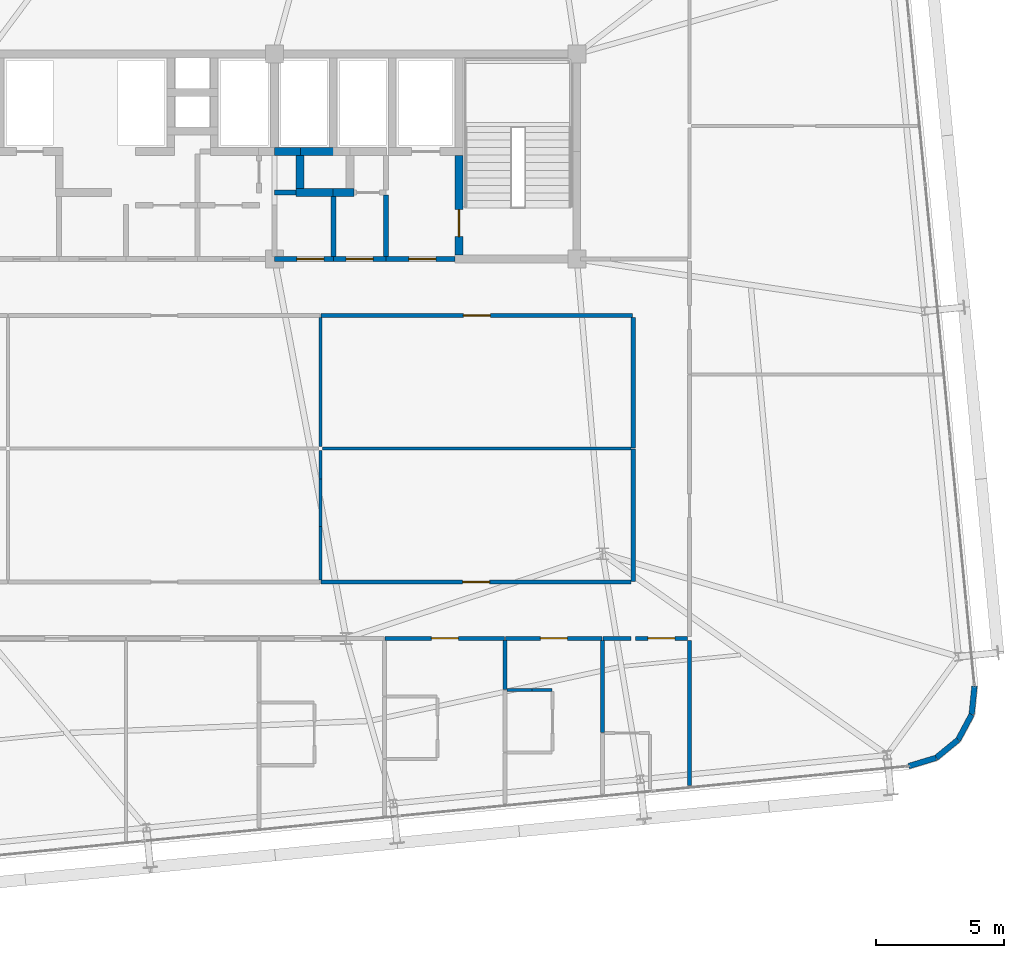
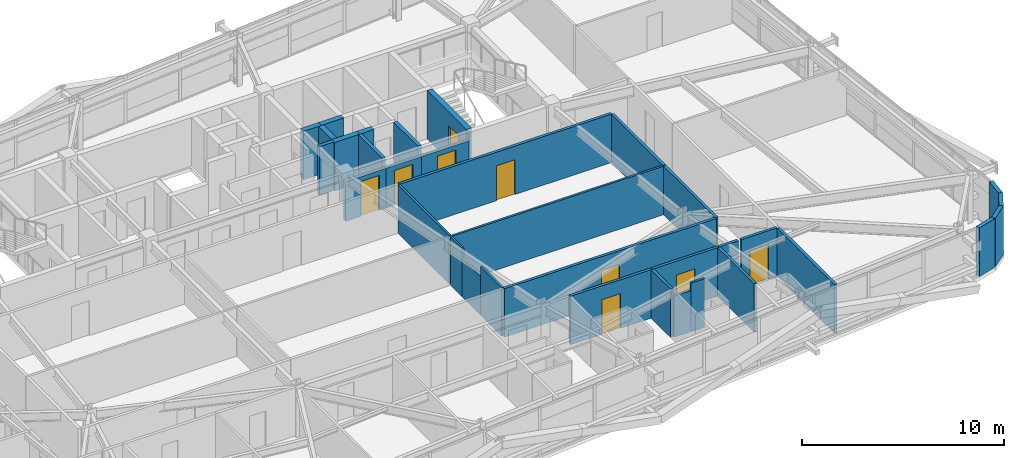
# One storey, part 49 of 54: 34 walls, 9 doors, 9 openings.
"""IFC4 building model written with IfcOpenShell, lengths in metres."""

from ifc_helpers import new_model, si_unit, direction, frame, frame_2d, origin, place, context, subcontext, project, spatial, rectangle, extrude, source, transform, mapped, material, layer, layer_set, type_object, element, fill, save


model = new_model("IFC4")

# Units and contexts
model_context = context("Model", 3, precision=1e-05, world=origin(), true_north=direction((0.0, 1.0)))
body_context = subcontext(model_context, "Body", "Model", "MODEL_VIEW")
ifc_project = project(units=[si_unit("LENGTHUNIT", "METRE"), si_unit("AREAUNIT", "SQUARE_METRE"), si_unit("VOLUMEUNIT", "CUBIC_METRE"), si_unit("PLANEANGLEUNIT", "RADIAN"), si_unit("MASSUNIT", "GRAM", prefix="KILO")], contexts=[model_context])

# Site, building, storey
site_placement = place(None, origin())
site = spatial("IfcSite", under=ifc_project, at=site_placement, CompositionType="ELEMENT")
building_placement = place(site_placement, origin())
building = spatial("IfcBuilding", under=site, at=building_placement, Name="Taldren Reach Tower", CompositionType="ELEMENT")
storey_placement = place(building_placement, frame((0.0, 0.0, 102.89990234375)))
storey = spatial("IfcBuildingStorey", under=building, at=storey_placement, Name="L31", CompositionType="ELEMENT", Elevation=102.89990234375)

# Walls
ifc_material_1 = material(Name="Pale Champagne Anodised Aluminium Cladding", Category="aluminium")
ifc_layer_1 = layer(ifc_material_1, 0.04, Name="Pale Champagne Anodised Aluminium Cladding", Category="aluminium")
ifc_material_2 = material(Name="Mineral Wool Acoustic Insulation", Category="insulation")
ifc_layer_2 = layer(ifc_material_2, 0.06, Name="Mineral Wool Acoustic Insulation", Category="insulation")
ifc_material_3 = material(Name="Steel Gr 350 (C350L0)", Category="steel")
ifc_layer_3 = layer(ifc_material_3, 0.12, Name="Steel Gr 350 (C350L0)", Category="steel")
ifc_layer_set_1 = layer_set([ifc_layer_1, ifc_layer_2, ifc_layer_3], Name="Pale Champagne Aluminium Cladding and Steel Gr 350 Stud Framing")
wall_type_1 = type_object("IfcWallType", Name="EW-CRN-220", PredefinedType="SOLIDWALL", material=ifc_layer_set_1)
shared_shape_1 = source(origin(), body_context, "Body", "SweptSolid", [
    extrude(rectangle(XDim=1.115966796875, YDim=0.219970703125, at=frame_2d((0.55810546875, 0.0))), origin(), (0.0, 0.0, 1.0), 2.93017578125),
])
for number, where, z_axis, x_axis, name in (
    (1, (65.01708984375, 4.537109375, 0.0), (0.0, 0.0, 1.0), (0.773342870285, 0.633988016432, 0.0), "Rounded-corner pale-metal facade wall L31-SE2"),
    (2, (66.406494140625, 6.228515625, 0.0), (0.0, 0.0, 1.0), (0.09844234778, 0.995142755671, 0.0), "Rounded-corner pale-metal facade wall L31-SE4"),
):
    element("IfcWall", number, at=place(storey_placement, frame(where, z_axis=z_axis, x_axis=x_axis)), inside=storey, type_object=wall_type_1, Name=name, PredefinedType="SOLIDWALL", context=body_context, shape_type="MappedRepresentation", body=[
        mapped(shared_shape_1, transform((0.0, 0.0, 0.0), scale=1.0)),
    ])
shared_shape_2 = source(origin(), body_context, "Body", "SweptSolid", [
    extrude(rectangle(XDim=1.11572265625, YDim=0.219970703125, at=frame_2d((0.557861328125, 0.0))), origin(), (0.0, 0.0, 1.0), 2.93017578125),
])
for number, where, z_axis, x_axis, name in (
    (3, (63.94921875, 4.213623046875, 0.0), (0.0, 0.0, 1.0), (0.957052003726, 0.289916301997, 0.0), "Rounded-corner pale-metal facade wall L31-SE1"),
    (4, (65.880126953125, 5.24462890625, 0.0), (0.0, 0.0, 1.0), (0.471723463201, 0.881746547635, 0.0), "Rounded-corner pale-metal facade wall L31-SE3"),
):
    element("IfcWall", number, at=place(storey_placement, frame(where, z_axis=z_axis, x_axis=x_axis)), inside=storey, type_object=wall_type_1, Name=name, PredefinedType="SOLIDWALL", context=body_context, shape_type="MappedRepresentation", body=[
        mapped(shared_shape_2, transform((0.0, 0.0, 0.0), scale=1.0)),
    ])
ifc_material_4 = material(Name="Concrete S50 (50 MPa)", Category="concrete")
ifc_layer_4 = layer(ifc_material_4, 0.199951171875)
ifc_layer_set_2 = layer_set([ifc_layer_4], Name="Concrete S50 (50 MPa)")
wall_type_2 = type_object("IfcWallType", Name="IW-CORE-200", PredefinedType="SOLIDWALL", material=ifc_layer_set_2)
shared_shape_3 = source(origin(), body_context, "Body", "SweptSolid", [
    extrude(rectangle(XDim=2.39990234375, YDim=0.199951171875, at=frame_2d((1.199951171875, 0.0))), origin(), (0.0, 0.0, 1.0), 2.93017578125),
])
wall_1_placement = place(storey_placement, frame((43.550048828125, 26.5, 0.0), z_axis=(0.0, 0.0, 1.0), x_axis=(0.0, -1.0, 0.0)))
element("IfcWall", 5, at=wall_1_placement, inside=storey, type_object=wall_type_2, Name="Rear Core Shear Wall W-INT-L31-013", PredefinedType="SOLIDWALL", context=body_context, shape_type="MappedRepresentation", body=[
    mapped(shared_shape_3, transform((0.0, 0.0, 0.0), scale=1.0)),
])

# Wall, opening, door
shared_shape_4 = source(origin(), body_context, "Body", "SweptSolid", [
    extrude(rectangle(XDim=2.300048828125, YDim=0.199951171875, at=frame_2d((1.14990234375, 0.0))), origin(), (0.0, 0.0, 1.0), 2.397216796875),
])
wall_2_placement = place(storey_placement, frame((41.5, 24.0, 0.0), z_axis=(0.0, 0.0, 1.0), x_axis=(-1.0, 0.0, 0.0)))
wall_2 = element("IfcWall", 6, at=wall_2_placement, inside=storey, type_object=wall_type_2, Name="Rear Core Shear Wall W-INT-L31-057", PredefinedType="SOLIDWALL", context=body_context, shape_type="MappedRepresentation", body=[
    mapped(shared_shape_4, transform((0.0, 0.0, 0.0), scale=1.0)),
])
shared_shape_5 = source(origin(), body_context, "Body", "SweptSolid", [
    extrude(rectangle(XDim=1.050048828125, YDim=2.10009765625, at=frame_2d((0.52490234375, 1.050048828125))), frame((0.0, 0.10986328125, 0.0), z_axis=(0.0, -1.0, 0.0), x_axis=(1.0, 0.0, 0.0)), (0.0, 0.0, 1.0), 0.219970703125),
])
opening_1_placement = place(wall_2_placement, frame((0.375, 0.0, 0.0)))
opening_1 = element("IfcOpeningElement", 7, at=opening_1_placement, cuts=wall_2, Name="Opening DF-105", PredefinedType="OPENING", context=body_context, shape_type="MappedRepresentation", body=[
    mapped(shared_shape_5, transform((0.0, 0.0, 0.0), scale=1.0)),
])
ifc_material_5 = material(Name="Fire-Rated Care and Stair Exit Door")
door_type = type_object("IfcDoorType", Name="ID-FIRE-105", OperationType="NOTDEFINED", PredefinedType="DOOR", material=ifc_material_5)
shared_shape_6 = source(origin(), body_context, "Body", "SweptSolid", [
    extrude(rectangle(XDim=1.050048828125, YDim=2.10009765625, at=frame_2d((0.52490234375, 1.050048828125))), frame((0.0, 0.02490234375, 0.0), z_axis=(0.0, -1.0, 0.0), x_axis=(1.0, 0.0, 0.0)), (0.0, 0.0, 1.0), 0.050048828125),
])
door_1_placement = place(opening_1_placement, frame((1.050048828125, 0.0, 0.0), z_axis=(0.0, 0.0, 1.0), x_axis=(-1.0, 0.0, 0.0)))
door_1 = element("IfcDoor", 8, at=door_1_placement, inside=storey, type_object=door_type, Name="Interior Door DR-L31-011", OperationType="SINGLE_SWING_RIGHT", OverallHeight=2.10009765625, OverallWidth=1.050048828125, PredefinedType="DOOR", context=body_context, shape_type="MappedRepresentation", body=[
    mapped(shared_shape_6, transform((0.0, 0.0, 0.0), scale=1.0)),
])
fill(opening_1, door_1)

shared_shape_7 = source(origin(), body_context, "Body", "SweptSolid", [
    extrude(rectangle(XDim=2.050048828125, YDim=0.199951171875, at=frame_2d((1.02490234375, 0.0))), origin(), (0.0, 0.0, 1.0), 2.397216796875),
])
wall_3_placement = place(storey_placement, frame((43.550048828125, 24.0, 0.0), z_axis=(0.0, 0.0, 1.0), x_axis=(-1.0, 0.0, 0.0)))
wall_3 = element("IfcWall", 9, at=wall_3_placement, inside=storey, type_object=wall_type_2, Name="Rear Core Shear Wall W-INT-L31-059", PredefinedType="SOLIDWALL", context=body_context, shape_type="MappedRepresentation", body=[
    mapped(shared_shape_7, transform((0.0, 0.0, 0.0), scale=1.0)),
])
opening_2_placement = place(wall_3_placement, frame((0.5, 0.0, 0.0)))
opening_2 = element("IfcOpeningElement", 10, at=opening_2_placement, cuts=wall_3, Name="Opening DF-105", PredefinedType="OPENING", context=body_context, shape_type="MappedRepresentation", body=[
    mapped(shared_shape_5, transform((0.0, 0.0, 0.0), scale=1.0)),
])
door_2_placement = place(opening_2_placement, frame((1.050048828125, 0.0, 0.0), z_axis=(0.0, 0.0, 1.0), x_axis=(-1.0, 0.0, 0.0)))
door_2 = element("IfcDoor", 11, at=door_2_placement, inside=storey, type_object=door_type, Name="Interior Door DR-L31-013", OperationType="SINGLE_SWING_LEFT", OverallHeight=2.10009765625, OverallWidth=1.050048828125, PredefinedType="DOOR", context=body_context, shape_type="MappedRepresentation", body=[
    mapped(shared_shape_6, transform((0.0, 0.0, 0.0), scale=1.0)),
])
fill(opening_2, door_2)

# Wall
ifc_material_6 = material(Name="Fire-Rated Acoustic Plasterboard Stud Wall", Category="gypsum")
ifc_layer_5 = layer(ifc_material_6, 0.159912109375)
ifc_layer_set_3 = layer_set([ifc_layer_5], Name="Fire-Rated Acoustic Plasterboard Stud Wall")
wall_type_3 = type_object("IfcWallType", Name="IW-FIRE-160", PredefinedType="PARTITIONING", material=ifc_layer_set_3)
shared_shape_8 = source(origin(), body_context, "Body", "SweptSolid", [
    extrude(rectangle(XDim=5.15966796875, YDim=0.159912109375, at=frame_2d((2.579833984375, 0.0))), origin(), (0.0, 0.0, 1.0), 2.93017578125),
])
wall_4_placement = place(storey_placement, frame((53.199951171875, 11.420166015625, 0.0), z_axis=(0.0, 0.0, 1.0), x_axis=(0.0, 1.0, 0.0)))
element("IfcWall", 12, at=wall_4_placement, inside=storey, type_object=wall_type_3, Name="Interior Partition Wall W-INT-L31-064", PredefinedType="PARTITIONING", context=body_context, shape_type="MappedRepresentation", body=[
    mapped(shared_shape_8, transform((0.0, 0.0, 0.0), scale=1.0)),
])

# Wall, opening, door
shared_shape_9 = source(origin(), body_context, "Body", "SweptSolid", [
    extrude(rectangle(XDim=12.159423828125, YDim=0.159912109375, at=frame_2d((6.07958984375, 0.0))), origin(), (0.0, 0.0, 1.0), 2.93017578125),
])
wall_5_placement = place(storey_placement, frame((53.1796875, 21.800048828125, 0.0), z_axis=(0.0, 0.0, 1.0), x_axis=(-1.0, 0.0, 0.0)))
wall_5 = element("IfcWall", 13, at=wall_5_placement, inside=storey, type_object=wall_type_3, Name="Interior Partition Wall W-INT-L31-065", PredefinedType="PARTITIONING", context=body_context, shape_type="MappedRepresentation", body=[
    mapped(shared_shape_9, transform((0.0, 0.0, 0.0), scale=1.0)),
])
shared_shape_10 = source(origin(), body_context, "Body", "SweptSolid", [
    extrude(rectangle(XDim=1.050048828125, YDim=2.10009765625, at=frame_2d((0.52490234375, 1.050048828125))), frame((0.0, 0.08984375, 0.0), z_axis=(0.0, -1.0, 0.0), x_axis=(1.0, 0.0, 0.0)), (0.0, 0.0, 1.0), 0.179931640625),
])
opening_3_placement = place(wall_5_placement, frame((5.5546875, 0.0, 0.0)))
opening_3 = element("IfcOpeningElement", 14, at=opening_3_placement, cuts=wall_5, Name="Opening DF-105", PredefinedType="OPENING", context=body_context, shape_type="MappedRepresentation", body=[
    mapped(shared_shape_10, transform((0.0, 0.0, 0.0), scale=1.0)),
])
door_3_placement = place(opening_3_placement, origin())
door_3 = element("IfcDoor", 15, at=door_3_placement, inside=storey, type_object=door_type, Name="Interior Door DR-L31-016", OperationType="SINGLE_SWING_LEFT", OverallHeight=2.10009765625, OverallWidth=1.050048828125, PredefinedType="DOOR", context=body_context, shape_type="MappedRepresentation", body=[
    mapped(shared_shape_6, transform((0.0, 0.0, 0.0), scale=1.0)),
])
fill(opening_3, door_3)

# Wall
shared_shape_11 = source(origin(), body_context, "Body", "SweptSolid", [
    extrude(rectangle(XDim=5.099853515625, YDim=0.159912109375, at=frame_2d((2.5498046875, 0.0))), origin(), (0.0, 0.0, 1.0), 2.93017578125),
])
wall_6_placement = place(storey_placement, frame((53.199951171875, 16.6201171875, 0.0), z_axis=(0.0, 0.0, 1.0), x_axis=(0.0, 1.0, 0.0)))
element("IfcWall", 16, at=wall_6_placement, inside=storey, type_object=wall_type_3, Name="Interior Partition Wall W-INT-L31-066", PredefinedType="PARTITIONING", context=body_context, shape_type="MappedRepresentation", body=[
    mapped(shared_shape_11, transform((0.0, 0.0, 0.0), scale=1.0)),
])

# Wall, opening, door
shared_shape_12 = source(origin(), body_context, "Body", "SweptSolid", [
    extrude(rectangle(XDim=2.0400390625, YDim=0.159912109375, at=frame_2d((1.02001953125, 0.0))), origin(), (0.0, 0.0, 1.0), 2.93017578125),
])
wall_7_placement = place(storey_placement, frame((55.320068359375, 9.199951171875, 0.0), z_axis=(0.0, 0.0, 1.0), x_axis=(-1.0, 0.0, 0.0)))
wall_7 = element("IfcWall", 17, at=wall_7_placement, inside=storey, type_object=wall_type_3, Name="Interior Partition Wall W-INT-L31-068", PredefinedType="PARTITIONING", context=body_context, shape_type="MappedRepresentation", body=[
    mapped(shared_shape_12, transform((0.0, 0.0, 0.0), scale=1.0)),
])
opening_4_placement = place(wall_7_placement, frame((0.4951171875, 0.0, 0.0)))
opening_4 = element("IfcOpeningElement", 18, at=opening_4_placement, cuts=wall_7, Name="Opening DF-105", PredefinedType="OPENING", context=body_context, shape_type="MappedRepresentation", body=[
    mapped(shared_shape_10, transform((0.0, 0.0, 0.0), scale=1.0)),
])
door_4_placement = place(opening_4_placement, origin())
door_4 = element("IfcDoor", 19, at=door_4_placement, inside=storey, type_object=door_type, Name="Interior Door DR-L31-018", OperationType="SINGLE_SWING_LEFT", OverallHeight=2.10009765625, OverallWidth=1.050048828125, PredefinedType="DOOR", context=body_context, shape_type="MappedRepresentation", body=[
    mapped(shared_shape_6, transform((0.0, 0.0, 0.0), scale=1.0)),
])
fill(opening_4, door_4)

shared_shape_13 = source(origin(), body_context, "Body", "SweptSolid", [
    extrude(rectangle(XDim=12.099853515625, YDim=0.159912109375, at=frame_2d((6.0498046875, 0.0))), origin(), (0.0, 0.0, 1.0), 2.93017578125),
])
wall_8_placement = place(storey_placement, frame((41.020263671875, 11.39990234375, 0.0), z_axis=(0.0, 0.0, 1.0), x_axis=(1.0, 0.0, 0.0)))
wall_8 = element("IfcWall", 20, at=wall_8_placement, inside=storey, type_object=wall_type_3, Name="Interior Partition Wall W-INT-L31-080", PredefinedType="PARTITIONING", context=body_context, shape_type="MappedRepresentation", body=[
    mapped(shared_shape_13, transform((0.0, 0.0, 0.0), scale=1.0)),
])
opening_5_placement = place(wall_8_placement, frame((5.52490234375, 0.0, 0.0)))
opening_5 = element("IfcOpeningElement", 21, at=opening_5_placement, cuts=wall_8, Name="Opening DF-105", PredefinedType="OPENING", context=body_context, shape_type="MappedRepresentation", body=[
    mapped(shared_shape_10, transform((0.0, 0.0, 0.0), scale=1.0)),
])
door_5_placement = place(opening_5_placement, origin())
door_5 = element("IfcDoor", 22, at=door_5_placement, inside=storey, type_object=door_type, Name="Interior Door DR-L31-027", OperationType="SINGLE_SWING_RIGHT", OverallHeight=2.10009765625, OverallWidth=1.050048828125, PredefinedType="DOOR", context=body_context, shape_type="MappedRepresentation", body=[
    mapped(shared_shape_6, transform((0.0, 0.0, 0.0), scale=1.0)),
])
fill(opening_5, door_5)

# Walls
shared_shape_14 = source(origin(), body_context, "Body", "SweptSolid", [
    extrude(rectangle(XDim=1.099853515625, YDim=0.159912109375, at=frame_2d((0.5498046875, 0.0))), origin(), (0.0, 0.0, 1.0), 2.93017578125),
])
wall_9_placement = place(storey_placement, frame((53.1201171875, 9.199951171875, 0.0), z_axis=(0.0, 0.0, 1.0), x_axis=(-1.0, 0.0, 0.0)))
element("IfcWall", 23, at=wall_9_placement, inside=storey, type_object=wall_type_3, Name="Interior Partition Wall W-INT-L31-089", PredefinedType="PARTITIONING", context=body_context, shape_type="MappedRepresentation", body=[
    mapped(shared_shape_14, transform((0.0, 0.0, 0.0), scale=1.0)),
])
ifc_material_7 = material(Name="Insulated Residential Stud Partition", Category="gypsum")
ifc_layer_6 = layer(ifc_material_7, 0.1201171875)
ifc_layer_set_4 = layer_set([ifc_layer_6], Name="Insulated Residential Stud Partition")
wall_type_4 = type_object("IfcWallType", Name="IW-PART-120", PredefinedType="PARTITIONING", material=ifc_layer_set_4)
shared_shape_15 = source(origin(), body_context, "Body", "SweptSolid", [
    extrude(rectangle(XDim=1.10400390625, YDim=0.1201171875, at=frame_2d((0.552001953125, 0.0))), origin(), (0.0, 0.0, 1.0), 2.93017578125),
])
wall_10_placement = place(storey_placement, frame((41.0, 16.52001953125, 0.0), z_axis=(0.0, 0.0, 1.0), x_axis=(0.0, -1.0, 0.0)))
element("IfcWall", 24, at=wall_10_placement, inside=storey, type_object=wall_type_4, Name="Interior Partition Wall W-INT-L31-094", PredefinedType="PARTITIONING", context=body_context, shape_type="MappedRepresentation", body=[
    mapped(shared_shape_15, transform((0.0, 0.0, 0.0), scale=1.0)),
])
shared_shape_16 = source(origin(), body_context, "Body", "SweptSolid", [
    extrude(rectangle(XDim=1.860595703125, YDim=0.1201171875, at=frame_2d((0.93017578125, 0.0))), origin(), (0.0, 0.0, 1.0), 2.328125),
])
wall_11_placement = place(storey_placement, frame((41.0, 15.416015625, 0.0), z_axis=(0.0, 0.0, 1.0), x_axis=(0.0, -1.0, 0.0)))
element("IfcWall", 25, at=wall_11_placement, inside=storey, type_object=wall_type_4, Name="Interior Partition Wall W-INT-L31-094 part 2", PredefinedType="PARTITIONING", context=body_context, shape_type="MappedRepresentation", body=[
    mapped(shared_shape_16, transform((0.0, 0.0, 0.0), scale=1.0)),
])
shared_shape_17 = source(origin(), body_context, "Body", "SweptSolid", [
    extrude(rectangle(XDim=2.075439453125, YDim=0.1201171875, at=frame_2d((1.03759765625, 0.0))), origin(), (0.0, 0.0, 1.0), 2.93017578125),
])
wall_12_placement = place(storey_placement, frame((41.0, 13.555419921875, 0.0), z_axis=(0.0, 0.0, 1.0), x_axis=(0.0, -1.0, 0.0)))
element("IfcWall", 26, at=wall_12_placement, inside=storey, type_object=wall_type_4, Name="Interior Partition Wall W-INT-L31-094 part 3", PredefinedType="PARTITIONING", context=body_context, shape_type="MappedRepresentation", body=[
    mapped(shared_shape_17, transform((0.0, 0.0, 0.0), scale=1.0)),
])
shared_shape_18 = source(origin(), body_context, "Body", "SweptSolid", [
    extrude(rectangle(XDim=12.0400390625, YDim=0.1201171875, at=frame_2d((6.02001953125, 0.0))), origin(), (0.0, 0.0, 1.0), 2.93017578125),
])
wall_13_placement = place(storey_placement, frame((41.080078125, 16.60009765625, 0.0), z_axis=(0.0, 0.0, 1.0), x_axis=(1.0, 0.0, 0.0)))
element("IfcWall", 27, at=wall_13_placement, inside=storey, type_object=wall_type_4, Name="Interior Partition Wall W-INT-L31-096", PredefinedType="PARTITIONING", context=body_context, shape_type="MappedRepresentation", body=[
    mapped(shared_shape_18, transform((0.0, 0.0, 0.0), scale=1.0)),
])
shared_shape_19 = source(origin(), body_context, "Body", "SweptSolid", [
    extrude(rectangle(XDim=5.0400390625, YDim=0.1201171875, at=frame_2d((2.52001953125, 0.0))), origin(), (0.0, 0.0, 1.0), 2.93017578125),
])
wall_14_placement = place(storey_placement, frame((41.0, 21.719970703125, 0.0), z_axis=(0.0, 0.0, 1.0), x_axis=(0.0, -1.0, 0.0)))
element("IfcWall", 28, at=wall_14_placement, inside=storey, type_object=wall_type_4, Name="Interior Partition Wall W-INT-L31-095", PredefinedType="PARTITIONING", context=body_context, shape_type="MappedRepresentation", body=[
    mapped(shared_shape_19, transform((0.0, 0.0, 0.0), scale=1.0)),
])

# Wall, opening, door
ifc_material_8 = material(Name="Concrete S65 (65 MPa)", Category="concrete")
ifc_layer_7 = layer(ifc_material_8, 0.300048828125)
ifc_layer_set_5 = layer_set([ifc_layer_7], Name="Concrete S65 (65 MPa)")
wall_type_5 = type_object("IfcWallType", Name="IW-CORE-300", PredefinedType="SHEAR", material=ifc_layer_set_5)
shared_shape_20 = source(origin(), body_context, "Body", "SweptSolid", [
    extrude(rectangle(XDim=3.900146484375, YDim=0.300048828125, at=frame_2d((1.9501953125, 0.0))), origin(), (0.0, 0.0, 1.0), 2.93017578125),
])
wall_15_placement = place(storey_placement, frame((46.39990234375, 28.050048828125, 0.0), z_axis=(0.0, 0.0, 1.0), x_axis=(0.0, -1.0, 0.0)))
wall_15 = element("IfcWall", 29, at=wall_15_placement, inside=storey, type_object=wall_type_5, Name="Rear Core Shear Wall W-INT-L31-009", PredefinedType="SHEAR", context=body_context, shape_type="MappedRepresentation", body=[
    mapped(shared_shape_20, transform((0.0, 0.0, 0.0), scale=1.0)),
])
shared_shape_21 = source(origin(), body_context, "Body", "SweptSolid", [
    extrude(rectangle(XDim=1.050048828125, YDim=2.10009765625, at=frame_2d((0.52490234375, 1.050048828125))), frame((0.0, 0.16015625, 0.0), z_axis=(0.0, -1.0, 0.0), x_axis=(1.0, 0.0, 0.0)), (0.0, 0.0, 1.0), 0.320068359375),
])
opening_6_placement = place(wall_15_placement, frame((2.125, 0.0, 0.0)))
opening_6 = element("IfcOpeningElement", 30, at=opening_6_placement, cuts=wall_15, Name="Opening DF-105", PredefinedType="OPENING", context=body_context, shape_type="MappedRepresentation", body=[
    mapped(shared_shape_21, transform((0.0, 0.0, 0.0), scale=1.0)),
])
door_6_placement = place(opening_6_placement, origin())
door_6 = element("IfcDoor", 31, at=door_6_placement, inside=storey, type_object=door_type, Name="Fire Exit Stair Door DR-L31-003", OperationType="SINGLE_SWING_RIGHT", OverallHeight=2.10009765625, OverallWidth=1.050048828125, PredefinedType="DOOR", context=body_context, shape_type="MappedRepresentation", body=[
    mapped(shared_shape_6, transform((0.0, 0.0, 0.0), scale=1.0)),
])
fill(opening_6, door_6)

shared_shape_22 = source(origin(), body_context, "Body", "SweptSolid", [
    extrude(rectangle(XDim=2.699951171875, YDim=0.199951171875, at=frame_2d((1.35009765625, 0.0))), origin(), (0.0, 0.0, 1.0), 2.397216796875),
])
wall_16_placement = place(storey_placement, frame((43.550048828125, 24.0, 0.0), z_axis=(0.0, 0.0, 1.0), x_axis=(1.0, 0.0, 0.0)))
wall_16 = element("IfcWall", 32, at=wall_16_placement, inside=storey, type_object=wall_type_2, Name="Rear Core Shear Wall W-INT-L31-015", PredefinedType="SOLIDWALL", context=body_context, shape_type="MappedRepresentation", body=[
    mapped(shared_shape_22, transform((0.0, 0.0, 0.0), scale=1.0)),
])
opening_7_placement = place(wall_16_placement, frame((0.89990234375, 0.0, 0.0)))
opening_7 = element("IfcOpeningElement", 33, at=opening_7_placement, cuts=wall_16, Name="Opening DF-105", PredefinedType="OPENING", context=body_context, shape_type="MappedRepresentation", body=[
    mapped(shared_shape_5, transform((0.0, 0.0, 0.0), scale=1.0)),
])
door_7_placement = place(opening_7_placement, origin())
door_7 = element("IfcDoor", 34, at=door_7_placement, inside=storey, type_object=door_type, Name="Interior Door DR-L31-004", OperationType="SINGLE_SWING_LEFT", OverallHeight=2.10009765625, OverallWidth=1.050048828125, PredefinedType="DOOR", context=body_context, shape_type="MappedRepresentation", body=[
    mapped(shared_shape_6, transform((0.0, 0.0, 0.0), scale=1.0)),
])
fill(opening_7, door_7)

# Walls
shared_shape_23 = source(origin(), body_context, "Body", "SweptSolid", [
    extrude(rectangle(XDim=1.300048828125, YDim=0.300048828125, at=frame_2d((0.64990234375, 0.0))), origin(), (0.0, 0.0, 1.0), 2.93017578125),
])
wall_17_placement = place(storey_placement, frame((40.199951171875, 28.050048828125, 0.0), z_axis=(0.0, 0.0, 1.0), x_axis=(0.0, -1.0, 0.0)))
element("IfcWall", 35, at=wall_17_placement, inside=storey, type_object=wall_type_5, Name="Rear Core Shear Wall W-INT-L31-027", PredefinedType="SHEAR", context=body_context, shape_type="MappedRepresentation", body=[
    mapped(shared_shape_23, transform((0.0, 0.0, 0.0), scale=1.0)),
])
shared_shape_24 = source(origin(), body_context, "Body", "SweptSolid", [
    extrude(rectangle(XDim=1.320068359375, YDim=0.300048828125, at=frame_2d((0.66015625, 0.0))), origin(), (0.0, 0.0, 1.0), 2.93017578125),
])
wall_18_placement = place(storey_placement, frame((41.52001953125, 28.199951171875, 0.0), z_axis=(0.0, 0.0, 1.0), x_axis=(-1.0, 0.0, 0.0)))
element("IfcWall", 36, at=wall_18_placement, inside=storey, type_object=wall_type_5, Name="Rear Core Shear Wall W-INT-L31-024", PredefinedType="SHEAR", context=body_context, shape_type="MappedRepresentation", body=[
    mapped(shared_shape_24, transform((0.0, 0.0, 0.0), scale=1.0)),
])
shared_shape_25 = source(origin(), body_context, "Body", "SweptSolid", [
    extrude(rectangle(XDim=2.349853515625, YDim=0.199951171875, at=frame_2d((1.1748046875, 0.0))), origin(), (0.0, 0.0, 1.0), 2.93017578125),
])
wall_19_placement = place(storey_placement, frame((41.5, 26.449951171875, 0.0), z_axis=(0.0, 0.0, 1.0), x_axis=(0.0, -1.0, 0.0)))
element("IfcWall", 37, at=wall_19_placement, inside=storey, type_object=wall_type_2, Name="Rear Core Shear Wall W-INT-L31-056", PredefinedType="SOLIDWALL", context=body_context, shape_type="MappedRepresentation", body=[
    mapped(shared_shape_25, transform((0.0, 0.0, 0.0), scale=1.0)),
])
shared_shape_26 = source(origin(), body_context, "Body", "SweptSolid", [
    extrude(rectangle(XDim=1.02001953125, YDim=0.300048828125, at=frame_2d((0.510009765625, 0.0))), origin(), (0.0, 0.0, 1.0), 2.93017578125),
])
wall_20_placement = place(storey_placement, frame((39.199951171875, 28.199951171875, 0.0), z_axis=(0.0, 0.0, 1.0), x_axis=(1.0, 0.0, 0.0)))
element("IfcWall", 38, at=wall_20_placement, inside=storey, type_object=wall_type_5, Name="Rear Core Shear Wall W-INT-L31-042", PredefinedType="SHEAR", context=body_context, shape_type="MappedRepresentation", body=[
    mapped(shared_shape_26, transform((0.0, 0.0, 0.0), scale=1.0)),
])
shared_shape_27 = source(origin(), body_context, "Body", "SweptSolid", [
    extrude(rectangle(XDim=3.58740234375, YDim=0.159912109375, at=frame_2d((1.793701171875, 0.0))), origin(), (0.0, 0.0, 1.0), 2.93017578125),
])
wall_21_placement = place(storey_placement, frame((52.0, 9.117919921875, 0.0), z_axis=(0.0, 0.0, 1.0), x_axis=(0.0, -1.0, 0.0)))
element("IfcWall", 39, at=wall_21_placement, inside=storey, type_object=wall_type_3, Name="Interior Partition Wall W-INT-L31-125", PredefinedType="PARTITIONING", context=body_context, shape_type="MappedRepresentation", body=[
    mapped(shared_shape_27, transform((0.0, 0.0, 0.0), scale=1.0)),
])
shared_shape_28 = source(origin(), body_context, "Body", "SweptSolid", [
    extrude(rectangle(XDim=5.657958984375, YDim=0.159912109375, at=frame_2d((2.8291015625, 0.0))), origin(), (0.0, 0.0, 1.0), 2.93017578125),
])
wall_22_placement = place(storey_placement, frame((55.39990234375, 9.117919921875, 0.0), z_axis=(0.0, 0.0, 1.0), x_axis=(0.0, -1.0, 0.0)))
element("IfcWall", 40, at=wall_22_placement, inside=storey, type_object=wall_type_3, Name="Interior Partition Wall W-INT-L31-129", PredefinedType="PARTITIONING", context=body_context, shape_type="MappedRepresentation", body=[
    mapped(shared_shape_28, transform((0.0, 0.0, 0.0), scale=1.0)),
])
shared_shape_29 = source(origin(), body_context, "Body", "SweptSolid", [
    extrude(rectangle(XDim=1.469970703125, YDim=0.300048828125, at=frame_2d((0.73486328125, 0.0))), origin(), (0.0, 0.0, 1.0), 2.93017578125),
])
wall_23_placement = place(storey_placement, frame((40.050048828125, 26.60009765625, 0.0), z_axis=(0.0, 0.0, 1.0), x_axis=(1.0, 0.0, 0.0)))
element("IfcWall", 41, at=wall_23_placement, inside=storey, type_object=wall_type_5, Name="Rear Core Shear Wall W-INT-L31-026", PredefinedType="SHEAR", context=body_context, shape_type="MappedRepresentation", body=[
    mapped(shared_shape_29, transform((0.0, 0.0, 0.0), scale=1.0)),
])
shared_shape_30 = source(origin(), body_context, "Body", "SweptSolid", [
    extrude(rectangle(XDim=0.820068359375, YDim=0.300048828125, at=frame_2d((0.41015625, 0.0))), origin(), (0.0, 0.0, 1.0), 2.93017578125),
])
wall_24_placement = place(storey_placement, frame((41.47998046875, 26.60009765625, 0.0), z_axis=(0.0, 0.0, 1.0), x_axis=(1.0, 0.0, 0.0)))
element("IfcWall", 42, at=wall_24_placement, inside=storey, type_object=wall_type_5, Name="Rear Core Shear Wall W-INT-L31-028", PredefinedType="SHEAR", context=body_context, shape_type="MappedRepresentation", body=[
    mapped(shared_shape_30, transform((0.0, 0.0, 0.0), scale=1.0)),
])
shared_shape_31 = source(origin(), body_context, "Body", "SweptSolid", [
    extrude(rectangle(XDim=0.85009765625, YDim=0.199951171875, at=frame_2d((0.425048828125, 0.0))), origin(), (0.0, 0.0, 1.0), 2.93017578125),
])
wall_25_placement = place(storey_placement, frame((39.199951171875, 26.60009765625, 0.0), z_axis=(0.0, 0.0, 1.0), x_axis=(1.0, 0.0, 0.0)))
element("IfcWall", 43, at=wall_25_placement, inside=storey, type_object=wall_type_2, Name="Rear Core Shear Wall W-INT-L31-055", PredefinedType="SOLIDWALL", context=body_context, shape_type="MappedRepresentation", body=[
    mapped(shared_shape_31, transform((0.0, 0.0, 0.0), scale=1.0)),
])

# Wall, opening, door
shared_shape_32 = source(origin(), body_context, "Body", "SweptSolid", [
    extrude(rectangle(XDim=4.659423828125, YDim=0.159912109375, at=frame_2d((2.32958984375, 0.0))), origin(), (0.0, 0.0, 1.0), 2.93017578125),
])
wall_26_placement = place(storey_placement, frame((48.1796875, 9.199951171875, 0.0), z_axis=(0.0, 0.0, 1.0), x_axis=(-1.0, 0.0, 0.0)))
wall_26 = element("IfcWall", 44, at=wall_26_placement, inside=storey, type_object=wall_type_3, Name="Interior Partition Wall W-INT-L31-087", PredefinedType="PARTITIONING", context=body_context, shape_type="MappedRepresentation", body=[
    mapped(shared_shape_32, transform((0.0, 0.0, 0.0), scale=1.0)),
])
opening_8_placement = place(wall_26_placement, frame((1.8046875, 0.0, 0.0)))
opening_8 = element("IfcOpeningElement", 45, at=opening_8_placement, cuts=wall_26, Name="Opening DF-105", PredefinedType="OPENING", context=body_context, shape_type="MappedRepresentation", body=[
    mapped(shared_shape_10, transform((0.0, 0.0, 0.0), scale=1.0)),
])
door_8_placement = place(opening_8_placement, origin())
door_8 = element("IfcDoor", 46, at=door_8_placement, inside=storey, type_object=door_type, Name="Interior Door DR-L31-033", OperationType="SINGLE_SWING_RIGHT", OverallHeight=2.10009765625, OverallWidth=1.050048828125, PredefinedType="DOOR", context=body_context, shape_type="MappedRepresentation", body=[
    mapped(shared_shape_6, transform((0.0, 0.0, 0.0), scale=1.0)),
])
fill(opening_8, door_8)

shared_shape_33 = source(origin(), body_context, "Body", "SweptSolid", [
    extrude(rectangle(XDim=3.759521484375, YDim=0.159912109375, at=frame_2d((1.8798828125, 0.0))), origin(), (0.0, 0.0, 1.0), 2.93017578125),
])
wall_27_placement = place(storey_placement, frame((51.979736328125, 9.199951171875, 0.0), z_axis=(0.0, 0.0, 1.0), x_axis=(-1.0, 0.0, 0.0)))
wall_27 = element("IfcWall", 47, at=wall_27_placement, inside=storey, type_object=wall_type_3, Name="Interior Partition Wall W-INT-L31-088", PredefinedType="PARTITIONING", context=body_context, shape_type="MappedRepresentation", body=[
    mapped(shared_shape_33, transform((0.0, 0.0, 0.0), scale=1.0)),
])
opening_9_placement = place(wall_27_placement, frame((1.354736328125, 0.0, 0.0)))
opening_9 = element("IfcOpeningElement", 48, at=opening_9_placement, cuts=wall_27, Name="Opening DF-105", PredefinedType="OPENING", context=body_context, shape_type="MappedRepresentation", body=[
    mapped(shared_shape_10, transform((0.0, 0.0, 0.0), scale=1.0)),
])
door_9_placement = place(opening_9_placement, origin())
door_9 = element("IfcDoor", 49, at=door_9_placement, inside=storey, type_object=door_type, Name="Interior Door DR-L31-034", OperationType="SINGLE_SWING_LEFT", OverallHeight=2.10009765625, OverallWidth=1.050048828125, PredefinedType="DOOR", context=body_context, shape_type="MappedRepresentation", body=[
    mapped(shared_shape_6, transform((0.0, 0.0, 0.0), scale=1.0)),
])
fill(opening_9, door_9)

# Walls
shared_shape_34 = source(origin(), body_context, "Body", "SweptSolid", [
    extrude(rectangle(XDim=1.91015625, YDim=0.159912109375, at=frame_2d((0.955078125, 0.0))), origin(), (0.0, 0.0, 1.0), 2.93017578125),
])
wall_28_placement = place(storey_placement, frame((48.199951171875, 9.117919921875, 0.0), z_axis=(0.0, 0.0, 1.0), x_axis=(0.0, -1.0, 0.0)))
element("IfcWall", 50, at=wall_28_placement, inside=storey, type_object=wall_type_3, Name="Interior Partition Wall W-INT-L31-120", PredefinedType="PARTITIONING", context=body_context, shape_type="MappedRepresentation", body=[
    mapped(shared_shape_34, transform((0.0, 0.0, 0.0), scale=1.0)),
])
shared_shape_35 = source(origin(), body_context, "Body", "SweptSolid", [
    extrude(rectangle(XDim=0.7822265625, YDim=0.1201171875, at=frame_2d((0.39111328125, 0.0))), origin(), (0.0, 0.0, 1.0), 2.93017578125),
])
wall_29_placement = place(storey_placement, frame((50.02978515625, 7.187744140625, 0.0), z_axis=(0.0, 0.0, 1.0), x_axis=(-1.0, 0.0, 0.0)))
element("IfcWall", 51, at=wall_29_placement, inside=storey, type_object=wall_type_4, Name="Interior Partition Wall W-INT-L31-124", PredefinedType="PARTITIONING", context=body_context, shape_type="MappedRepresentation", body=[
    mapped(shared_shape_35, transform((0.0, 0.0, 0.0), scale=1.0)),
])
shared_shape_36 = source(origin(), body_context, "Body", "SweptSolid", [
    extrude(rectangle(XDim=0.967529296875, YDim=0.1201171875, at=frame_2d((0.48388671875, 0.0))), origin(), (0.0, 0.0, 1.0), 2.47021484375),
])
wall_30_placement = place(storey_placement, frame((49.24755859375, 7.187744140625, 0.0), z_axis=(0.0, 0.0, 1.0), x_axis=(-1.0, 0.0, 0.0)))
element("IfcWall", 52, at=wall_30_placement, inside=storey, type_object=wall_type_4, Name="Interior Partition Wall W-INT-L31-124 part 2", PredefinedType="PARTITIONING", context=body_context, shape_type="MappedRepresentation", body=[
    mapped(shared_shape_36, transform((0.0, 0.0, 0.0), scale=1.0)),
])

save(model, "model.ifc")
